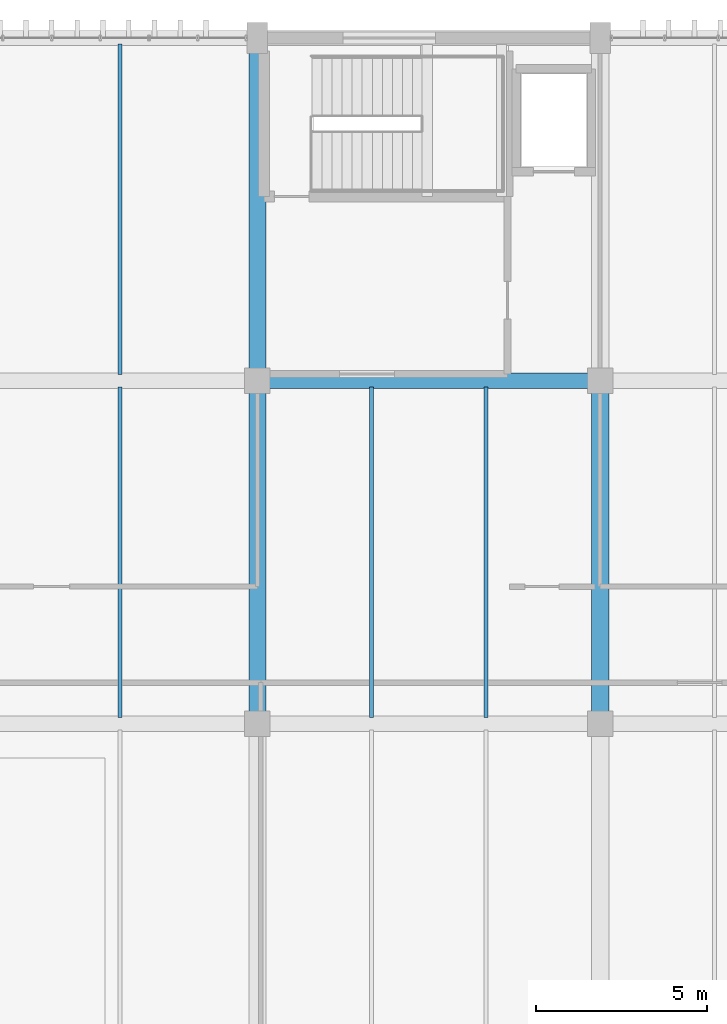
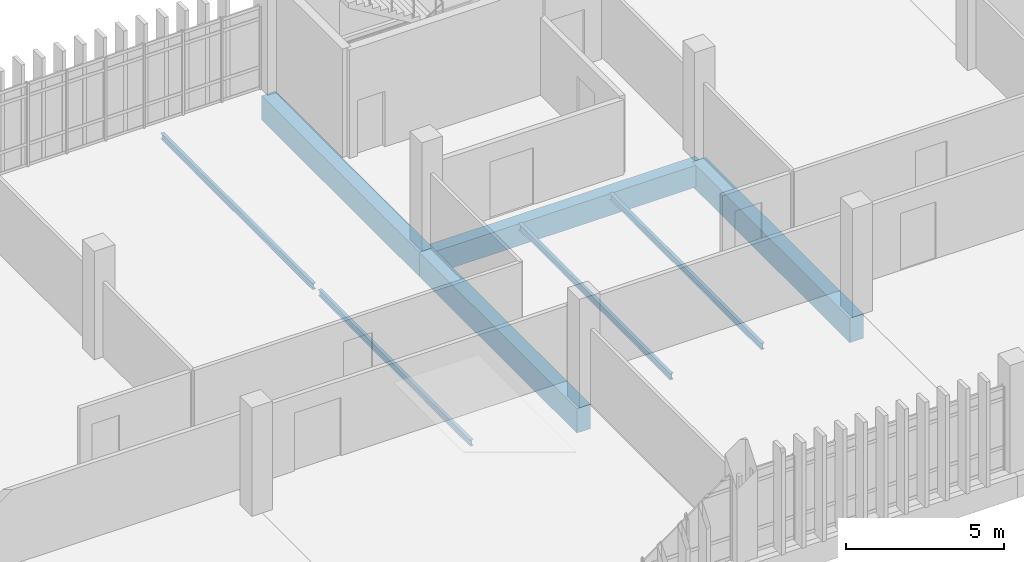
# One storey, part 52 of 111: 8 beams.
"""IFC4 building model written with IfcOpenShell, lengths in metres."""

from ifc_helpers import new_model, si_unit, direction, frame, origin, origin_2d, place, context, subcontext, project, spatial, rectangle, i_section, extrude, material, material_profile, profile_set, type_object, element, save


model = new_model("IFC4")

# Units and contexts
model_context = context("Model", 3, precision=1e-05, world=origin(), true_north=direction((0.0, 1.0)))
body_context = subcontext(model_context, "Body", "Model", "MODEL_VIEW")
ifc_project = project(units=[si_unit("LENGTHUNIT", "METRE"), si_unit("AREAUNIT", "SQUARE_METRE"), si_unit("VOLUMEUNIT", "CUBIC_METRE"), si_unit("PLANEANGLEUNIT", "RADIAN"), si_unit("MASSUNIT", "GRAM", prefix="KILO")], contexts=[model_context])

# Site, building, storey
site_placement = place(None, origin())
site = spatial("IfcSite", under=ifc_project, at=site_placement, CompositionType="ELEMENT")
building_placement = place(site_placement, origin())
building = spatial("IfcBuilding", under=site, at=building_placement, Name="Mersad Railyard Sports Hall", CompositionType="ELEMENT")
storey_placement = place(building_placement, frame((0.0, 0.0, 9.0)))
storey = spatial("IfcBuildingStorey", under=building, at=storey_placement, Name="L02", CompositionType="ELEMENT", Elevation=9.0)

# Beams
ifc_material_1 = material(Name="Concrete C40/50", Category="concrete")
ifc_material_profile_1 = material_profile(ifc_material_1, rectangle(XDim=0.449951171875, YDim=0.85009765625, at=origin_2d()), Name="RC 450x850")
ifc_profile_set_1 = profile_set([ifc_material_profile_1], Name="Concrete C40/50")
beam_type_1 = type_object("IfcBeamType", Name="STR-BM-B02", PredefinedType="BEAM", material=ifc_profile_set_1)
beam_placement = place(storey_placement, frame((91.0, 105.0, -0.72509765625), z_axis=(1.0, 0.0, 0.0), x_axis=(0.0, 1.0, 0.0)))
element("IfcBeam", 1, at=beam_placement, inside=storey, type_object=beam_type_1, Name="Beam B02-1085", PredefinedType="BEAM", context=body_context, shape_type="SweptSolid", body=[
    extrude(rectangle(XDim=0.449951171875, YDim=0.85009765625, at=origin_2d()), origin(), (0.0, 0.0, 1.0), 10.0),
])
ifc_material_2 = material(Name="Concrete C50/60", Category="concrete")
ifc_material_profile_2 = material_profile(ifc_material_2, rectangle(XDim=0.5, YDim=0.949951171875, at=origin_2d()), Name="RC 500x950")
ifc_profile_set_2 = profile_set([ifc_material_profile_2], Name="Concrete C50/60")
beam_type_2 = type_object("IfcBeamType", Name="STR-BM-B03", PredefinedType="BEAM", material=ifc_profile_set_2)
for number, where, z_axis, x_axis, name in (
    (2, (91.0, 95.0, -0.77490234375), (0.0, 1.0, 0.0), (-1.0, 0.0, 0.0), "Beam B03-1110"),
    (3, (91.0, 105.0, -0.77490234375), (0.0, 1.0, 0.0), (-1.0, 0.0, 0.0), "Beam B03-1111"),
    (4, (101.0, 95.0, -0.77490234375), (0.0, 1.0, 0.0), (-1.0, 0.0, 0.0), "Beam B03-1113"),
):
    element("IfcBeam", number, at=place(storey_placement, frame(where, z_axis=z_axis, x_axis=x_axis)), inside=storey, type_object=beam_type_2, Name=name, PredefinedType="BEAM", context=body_context, shape_type="SweptSolid", body=[
        extrude(rectangle(XDim=0.5, YDim=0.949951171875, at=origin_2d()), origin(), (0.0, 0.0, 1.0), 10.0),
    ])
ifc_material_3 = material(Name="Steel S355", Category="steel")
ifc_material_profile_3 = material_profile(ifc_material_3, i_section(OverallWidth=0.1201171875, OverallDepth=0.239990234375, WebThickness=0.006103515625, FlangeThickness=0.009765625, at=origin_2d()), Name="IPE 240")
ifc_profile_set_3 = profile_set([ifc_material_profile_3], Name="Steel S355")
beam_type_3 = type_object("IfcBeamType", Name="STR-BM-SB03", PredefinedType="BEAM", material=ifc_profile_set_3)
for number, where, z_axis, x_axis, name in (
    (5, (87.0, 95.179931640625, -0.419921875), (0.0, 1.0, 0.0), (-1.0, 0.0, 0.0), "Beam SB03-1169"),
    (6, (87.0, 105.179931640625, -0.419921875), (0.0, 1.0, 0.0), (-1.0, 0.0, 0.0), "Beam SB03-1171"),
    (7, (94.3330078125, 95.179931640625, -0.419921875), (0.0, 1.0, 0.0), (-1.0, 0.0, 0.0), "Beam SB03-1174"),
    (8, (97.6669921875, 95.179931640625, -0.419921875), (0.0, 1.0, 0.0), (-1.0, 0.0, 0.0), "Beam SB03-1175"),
):
    element("IfcBeam", number, at=place(storey_placement, frame(where, z_axis=z_axis, x_axis=x_axis)), inside=storey, type_object=beam_type_3, Name=name, PredefinedType="BEAM", context=body_context, shape_type="SweptSolid", body=[
        extrude(i_section(OverallWidth=0.1201171875, OverallDepth=0.239990234375, WebThickness=0.006103515625, FlangeThickness=0.009765625, at=origin_2d()), origin(), (0.0, 0.0, 1.0), 9.64013671875),
    ])

save(model, "model.ifc")
